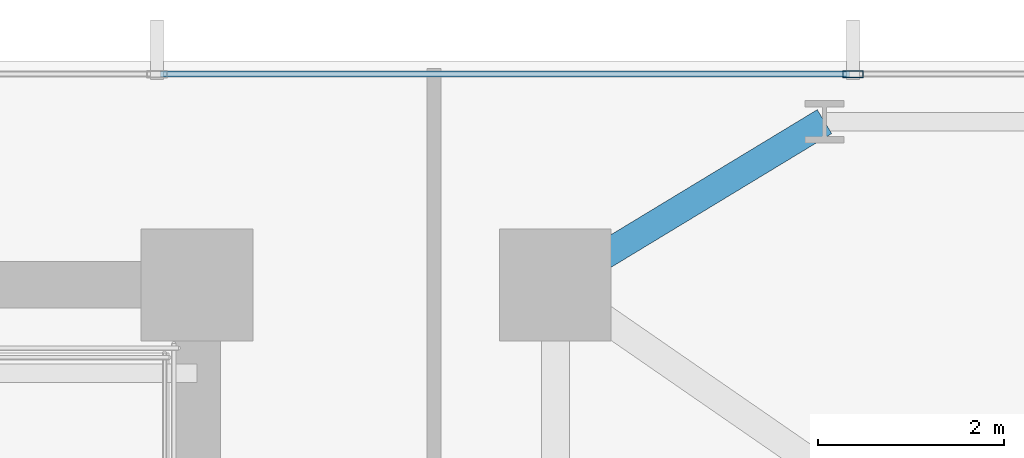
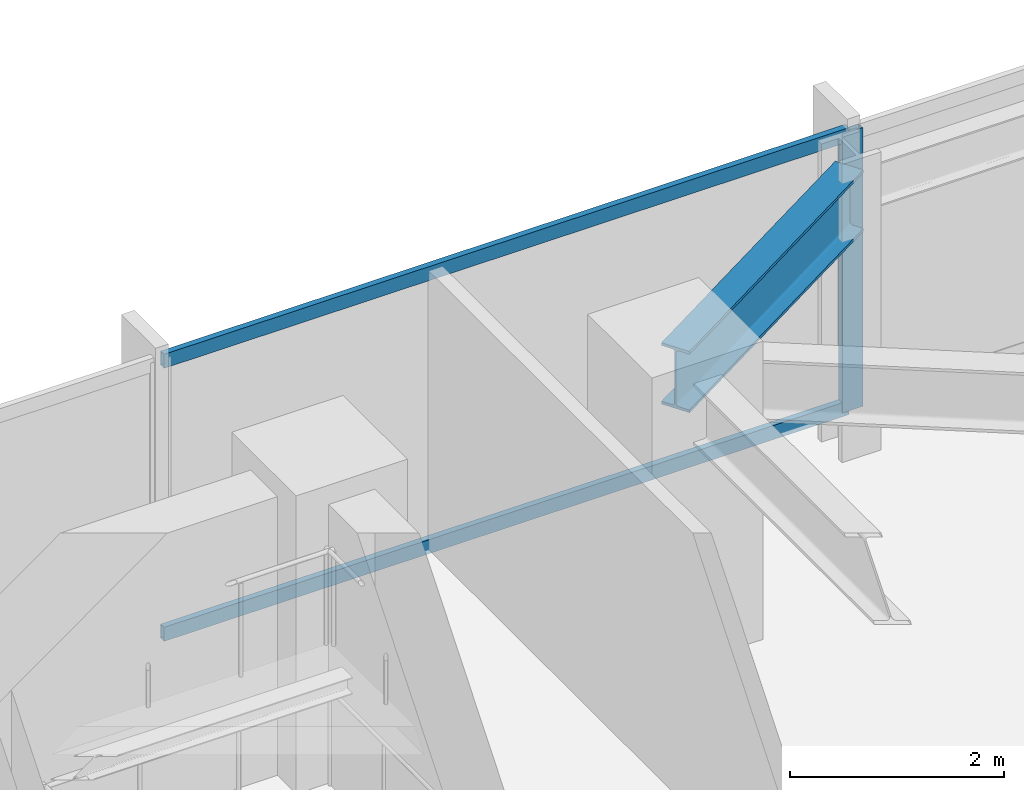
# One storey, part 20 of 33: 3 members, 1 beam, 1 element without a shape of its own.
"""IFC4 building model written with IfcOpenShell, lengths in metres."""

from ifc_helpers import new_model, si_unit, direction, frame, origin, origin_2d, place, context, subcontext, project, spatial, hollow_rectangle, i_section, extrude, material, material_profile, profile_set, type_object, element, aggregate, save


model = new_model("IFC4")

# Units and contexts
model_context = context("Model", 3, precision=1e-05, world=origin(), true_north=direction((0.0, 1.0)))
body_context = subcontext(model_context, "Body", "Model", "MODEL_VIEW")
ifc_project = project(units=[si_unit("LENGTHUNIT", "METRE"), si_unit("AREAUNIT", "SQUARE_METRE"), si_unit("VOLUMEUNIT", "CUBIC_METRE"), si_unit("PLANEANGLEUNIT", "RADIAN"), si_unit("MASSUNIT", "GRAM", prefix="KILO")], contexts=[model_context])

# Site, building, storey
site_placement = place(None, origin())
site = spatial("IfcSite", under=ifc_project, at=site_placement, CompositionType="ELEMENT")
building_placement = place(site_placement, origin())
building = spatial("IfcBuilding", under=site, at=building_placement, Name="Yelkora Congress Tower", CompositionType="ELEMENT")
storey_placement = place(building_placement, frame((0.0, 0.0, 47.39990234375)))
storey = spatial("IfcBuildingStorey", under=building, at=storey_placement, Name="L11", CompositionType="ELEMENT", Elevation=47.39990234375)

# Beam
ifc_material_1 = material(Name="Steel S355J2", Category="steel")
ifc_material_profile_1 = material_profile(ifc_material_1, i_section(OverallWidth=0.300048828125, OverallDepth=0.699951171875, WebThickness=0.01708984375, FlangeThickness=0.031982421875, FilletRadius=0.027099609375, at=origin_2d()), Name="HEB 700")
ifc_profile_set_1 = profile_set([ifc_material_profile_1], Name="Steel S355J2")
beam_type = type_object("IfcBeamType", Name="BM-GIRD-HEB700", PredefinedType="BEAM", material=ifc_profile_set_1)
beam_placement = place(storey_placement, frame((60.487548828125, 47.949951171875, 2.830078125), z_axis=(-0.855193946581, -0.518308126244, 0.0), x_axis=(0.518308126244, -0.855193946581, 0.0)))
element("IfcBeam", 1, at=beam_placement, inside=storey, type_object=beam_type, Name="L11 Primary Frame Girder N08", PredefinedType="BEAM", context=body_context, shape_type="SweptSolid", body=[
    extrude(i_section(OverallWidth=0.300048828125, OverallDepth=0.699951171875, WebThickness=0.01708984375, FlangeThickness=0.031982421875, FilletRadius=0.027099609375, at=origin_2d()), origin(), (0.0, 0.0, 1.0), 3.37646484375),
])

# Curtain wall, members
ifc_material_2 = material(Name="Anodised aluminium and insulated glass", Category="aluminium")
curtain_wall_type = type_object("IfcCurtainWallType", Name="CW-SYS-B1", PredefinedType="NOTDEFINED", material=ifc_material_2)
curtain_wall_placement = place(storey_placement, origin())
curtain_wall = element("IfcCurtainWall", 2, at=curtain_wall_placement, inside=storey, type_object=curtain_wall_type, Name="L11 Unitised Curtain Wall 10", PredefinedType="NOTDEFINED")
ifc_material_3 = material(Name="Anodised aluminium 6063-T6", Category="aluminium")
ifc_material_profile_2 = material_profile(ifc_material_3, hollow_rectangle(XDim=0.074951171875, YDim=0.219970703125, WallThickness=0.0048828125, at=origin_2d()), Name="ALU 75x220x5")
ifc_profile_set_2 = profile_set([ifc_material_profile_2], Name="Anodised aluminium 6063-T6")
member_type_1 = type_object("IfcMemberType", Name="MEM-ML-B1", PredefinedType="MULLION", material=ifc_profile_set_2)
member_1_placement = place(storey_placement, frame((60.794921875, 48.4599609375, 0.0), z_axis=(0.0, 0.0, 1.0), x_axis=(0.0, 1.0, 0.0)))
member_1 = element("IfcMember", 3, at=member_1_placement, type_object=member_type_1, Name="CW-B1 mullion 8", PredefinedType="MULLION", context=body_context, shape_type="SweptSolid", body=[
    extrude(hollow_rectangle(XDim=0.074951171875, YDim=0.219970703125, WallThickness=0.0048828125, at=origin_2d()), origin(), (0.0, 0.0, 1.0), 3.18017578125),
])
ifc_material_profile_3 = material_profile(ifc_material_3, hollow_rectangle(XDim=0.06494140625, YDim=0.159912109375, WallThickness=0.00390625, at=origin_2d()), Name="ALU 65x160x4")
ifc_profile_set_3 = profile_set([ifc_material_profile_3], Name="Anodised aluminium 6063-T6")
member_type_2 = type_object("IfcMemberType", Name="MEM-TR-B1", PredefinedType="USERDEFINED", material=ifc_profile_set_3)
member_2_placement = place(storey_placement, frame((53.367431640625, 48.4599609375, 0.03271484375), z_axis=(1.0, 0.0, 0.0), x_axis=(0.0, 1.0, 0.0)))
member_2 = element("IfcMember", 4, at=member_2_placement, type_object=member_type_2, Name="CW-B1 transom 7.1", ObjectType="TRANSOM", PredefinedType="USERDEFINED", context=body_context, shape_type="SweptSolid", body=[
    extrude(hollow_rectangle(XDim=0.06494140625, YDim=0.159912109375, WallThickness=0.00390625, at=origin_2d()), origin(), (0.0, 0.0, 1.0), 7.39013671875),
])
member_3_placement = place(storey_placement, frame((53.367431640625, 48.4599609375, 3.147705078125), z_axis=(1.0, 0.0, 0.0), x_axis=(0.0, 1.0, 0.0)))
member_3 = element("IfcMember", 5, at=member_3_placement, type_object=member_type_2, Name="CW-B1 transom 7.2", ObjectType="TRANSOM", PredefinedType="USERDEFINED", context=body_context, shape_type="SweptSolid", body=[
    extrude(hollow_rectangle(XDim=0.06494140625, YDim=0.159912109375, WallThickness=0.00390625, at=origin_2d()), origin(), (0.0, 0.0, 1.0), 7.39013671875),
])
aggregate(curtain_wall, [member_1, member_2, member_3])

save(model, "model.ifc")
